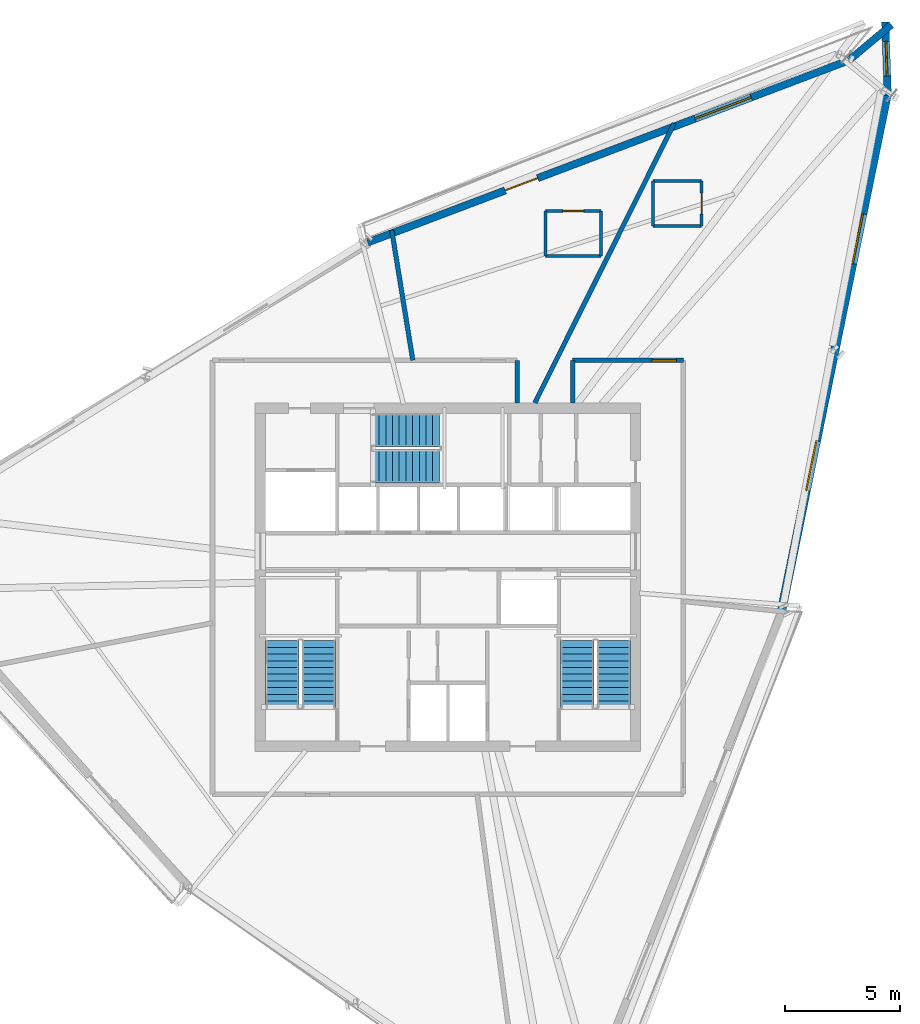
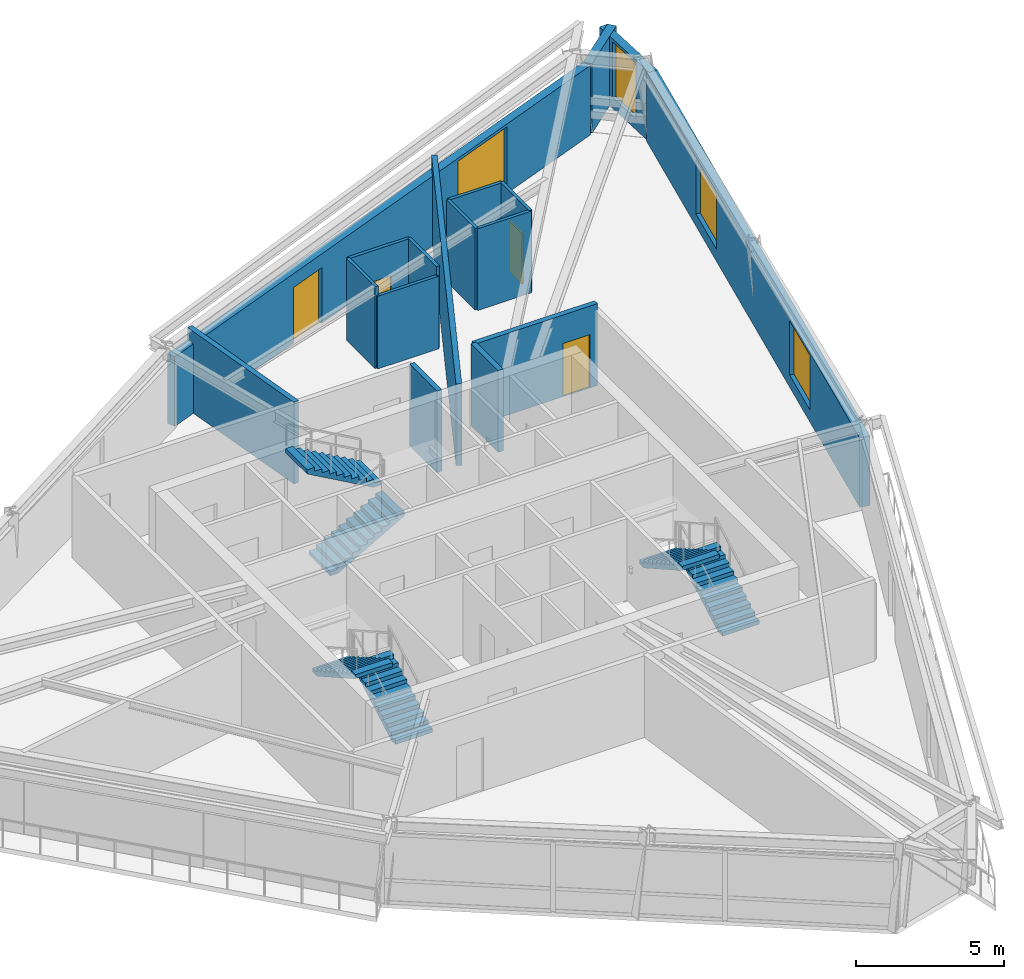
# One storey, part 10 of 13: 17 walls, 6 stair flights, 4 doors, 4 windows, 8 openings, 3 elements without a shape of their own.
"""IFC4 building model written with IfcOpenShell, lengths in metres."""

from ifc_helpers import new_model, si_unit, direction, frame, frame_2d, origin, place, context, subcontext, project, spatial, polyline, rectangle, outline, extrude, source, transform, mapped, material, layer, layer_set, type_object, type_shapes, element, fill, aggregate, save


model = new_model("IFC4")

# Units and contexts
model_context = context("Model", 3, precision=1e-05, world=origin(), true_north=direction((0.0, 1.0)))
body_context = subcontext(model_context, "Body", "Model", "MODEL_VIEW")
ifc_project = project(units=[si_unit("LENGTHUNIT", "METRE"), si_unit("AREAUNIT", "SQUARE_METRE"), si_unit("VOLUMEUNIT", "CUBIC_METRE"), si_unit("PLANEANGLEUNIT", "RADIAN"), si_unit("MASSUNIT", "GRAM", prefix="KILO")], contexts=[model_context])

# Site, building, storey
site_placement = place(None, origin())
site = spatial("IfcSite", under=ifc_project, at=site_placement, CompositionType="ELEMENT")
building_placement = place(site_placement, origin())
building = spatial("IfcBuilding", under=site, at=building_placement, Name="Olszyna Solenne Hotel", CompositionType="ELEMENT")
storey_placement = place(building_placement, frame((0.0, 0.0, 238.10009765625)))
storey = spatial("IfcBuildingStorey", under=building, at=storey_placement, Name="L63", CompositionType="ELEMENT", Elevation=238.10009765625)

# Wall, openings, door, window
ifc_material_1 = material(Name="Precast concrete C45/55", Category="concrete")
ifc_layer_1 = layer(ifc_material_1, 0.320068359375, Name="Precast concrete C45/55")
ifc_layer_set_1 = layer_set([ifc_layer_1], Name="Precast concrete C45/55")
wall_type_1 = type_object("IfcWallType", Name="WL-EX320", PredefinedType="SOLIDWALL", material=ifc_layer_set_1)
wall_1_placement = place(storey_placement, frame((34.52197265625, 41.10400390625, 0.0), z_axis=(0.0, 0.0, 1.0), x_axis=(0.935273105542, 0.353926854095, 0.0)))
wall_1 = element("IfcWall", 1, at=wall_1_placement, inside=storey, type_object=wall_type_1, Name="Exterior terracotta-precast frame wall WL-EX320 EW-L63-07", PredefinedType="SOLIDWALL", context=body_context, shape_type="SweptSolid", body=[
    extrude(rectangle(XDim=22.253173828125, YDim=0.320068359375, at=frame_2d((11.12646484375, 0.0))), origin(), (0.0, 0.0, 1.0), 2.871826171875),
])
opening_1_placement = place(wall_1_placement, frame((6.37109375, 0.0, 0.0)))
opening_1 = element("IfcOpeningElement", 2, at=opening_1_placement, cuts=wall_1, Name="Opening LDG-L63-1", PredefinedType="OPENING", context=body_context, shape_type="SweptSolid", body=[
    extrude(rectangle(XDim=1.5, YDim=2.300048828125, at=frame_2d((0.75, 1.14990234375))), frame((0.0, 0.169921875, 0.0), z_axis=(0.0, -1.0, 0.0), x_axis=(1.0, 0.0, 0.0)), (0.0, 0.0, 1.0), 0.340087890625),
])
opening_2_placement = place(wall_1_placement, frame((15.1669921875, 0.0, 0.402099609375)))
opening_2 = element("IfcOpeningElement", 3, at=opening_2_placement, cuts=wall_1, Name="Opening WN-L63-413", PredefinedType="OPENING", context=body_context, shape_type="SweptSolid", body=[
    extrude(rectangle(XDim=2.60009765625, YDim=2.35009765625, at=frame_2d((1.300048828125, 1.175048828125))), frame((0.0, 0.169921875, 0.0), z_axis=(0.0, -1.0, 0.0), x_axis=(1.0, 0.0, 0.0)), (0.0, 0.0, 1.0), 0.340087890625),
])
ifc_material_2 = material(Name="Anodised bronze aluminium", Category="aluminium")
door_type_1 = type_object("IfcDoorType", Name="DR-LG2", OperationType="DOUBLE_DOOR_SINGLE_SWING", PredefinedType="DOOR", material=ifc_material_2)
shared_shape_1 = source(origin(), body_context, "Body", "SweptSolid", [
    extrude(rectangle(XDim=1.5, YDim=2.300048828125, at=frame_2d((0.75, 1.14990234375))), frame((0.0, 0.02490234375, 0.0), z_axis=(0.0, -1.0, 0.0), x_axis=(1.0, 0.0, 0.0)), (0.0, 0.0, 1.0), 0.050048828125),
])
type_shapes(door_type_1, [shared_shape_1])
door_1_placement = place(opening_1_placement, origin())
door_1 = element("IfcDoor", 4, at=door_1_placement, inside=storey, type_object=door_type_1, Name="Exterior loggia balcony door DR-LG2 LDG-L63-1", OperationType="DOUBLE_DOOR_SINGLE_SWING", OverallHeight=2.300048828125, OverallWidth=1.5, PredefinedType="DOOR", context=body_context, shape_type="MappedRepresentation", body=[
    mapped(shared_shape_1, transform((0.0, 0.0, 0.0), x_axis=(1.0, 0.0, 0.0), y_axis=(0.0, 1.0, 0.0), z_axis=(0.0, 0.0, 1.0), scale=1.0)),
])
fill(opening_1, door_1)
ifc_material_3 = material(Name="Low-E triple glazing", Category="glass")
window_type_1 = type_object("IfcWindowType", Name="WN-ST1", PartitioningType="SINGLE_PANEL", PredefinedType="WINDOW", material=ifc_material_3)
shared_shape_2 = source(origin(), body_context, "Body", "SweptSolid", [
    extrude(rectangle(XDim=2.60009765625, YDim=2.35009765625, at=frame_2d((1.300048828125, 1.175048828125))), frame((0.0, 0.030029296875, 0.0), z_axis=(0.0, -1.0, 0.0), x_axis=(1.0, 0.0, 0.0)), (0.0, 0.0, 1.0), 0.06005859375),
])
type_shapes(window_type_1, [shared_shape_2])
window_1_placement = place(opening_2_placement, origin())
window_1 = element("IfcWindow", 5, at=window_1_placement, inside=storey, type_object=window_type_1, Name="Loggia room window WN-ST1 WN-L63-413", OverallHeight=2.35009765625, OverallWidth=2.60009765625, PartitioningType="SINGLE_PANEL", PredefinedType="WINDOW", context=body_context, shape_type="MappedRepresentation", body=[
    mapped(shared_shape_2, transform((0.0, 0.0, 0.0), x_axis=(1.0, 0.0, 0.0), y_axis=(0.0, 1.0, 0.0), z_axis=(0.0, 0.0, 1.0), scale=1.0)),
])
fill(opening_2, window_1)

# Wall
wall_2_placement = place(storey_placement, frame((55.380859375, 49.006591796875, 0.0), z_axis=(0.0, 0.0, 1.0), x_axis=(0.767448666807, 0.641110399086, 0.0)))
element("IfcWall", 6, at=wall_2_placement, inside=storey, type_object=wall_type_1, Name="Exterior terracotta-precast frame wall WL-EX320 EW-L63-08", PredefinedType="SOLIDWALL", context=body_context, shape_type="SweptSolid", body=[
    extrude(rectangle(XDim=2.384521484375, YDim=0.320068359375, at=frame_2d((1.1923828125, 0.0))), origin(), (0.0, 0.0, 1.0), 2.871826171875),
])

# Wall, opening, window
wall_3_placement = place(storey_placement, frame((56.948486328125, 50.65283203125, 0.0), z_axis=(0.0, 0.0, 1.0), x_axis=(0.033816390911, -0.999428062296, 0.0)))
wall_3 = element("IfcWall", 7, at=wall_3_placement, inside=storey, type_object=wall_type_1, Name="Exterior terracotta-precast frame wall WL-EX320 EW-L63-09", PredefinedType="SOLIDWALL", context=body_context, shape_type="SweptSolid", body=[
    extrude(rectangle(XDim=3.176513671875, YDim=0.320068359375, at=frame_2d((1.58837890625, 0.0))), origin(), (0.0, 0.0, 1.0), 2.871826171875),
])
opening_3_placement = place(wall_3_placement, frame((0.837890625, 0.0, 0.451904296875)))
opening_3 = element("IfcOpeningElement", 8, at=opening_3_placement, cuts=wall_3, Name="Opening WN-L63-414", PredefinedType="OPENING", context=body_context, shape_type="SweptSolid", body=[
    extrude(rectangle(XDim=1.5, YDim=2.300048828125, at=frame_2d((0.75, 1.14990234375))), frame((0.0, 0.169921875, 0.0), z_axis=(0.0, -1.0, 0.0), x_axis=(1.0, 0.0, 0.0)), (0.0, 0.0, 1.0), 0.340087890625),
])
window_type_2 = type_object("IfcWindowType", Name="WN-CH1", PartitioningType="SINGLE_PANEL", PredefinedType="WINDOW", material=ifc_material_3)
shared_shape_3 = source(origin(), body_context, "Body", "SweptSolid", [
    extrude(rectangle(XDim=1.5, YDim=2.300048828125, at=frame_2d((0.75, 1.14990234375))), frame((0.0, 0.030029296875, 0.0), z_axis=(0.0, -1.0, 0.0), x_axis=(1.0, 0.0, 0.0)), (0.0, 0.0, 1.0), 0.06005859375),
])
type_shapes(window_type_2, [shared_shape_3])
window_2_placement = place(opening_3_placement, origin())
window_2 = element("IfcWindow", 9, at=window_2_placement, inside=storey, type_object=window_type_2, Name="Exterior facade window WN-CH1 WN-L63-414", OverallHeight=2.300048828125, OverallWidth=1.5, PartitioningType="SINGLE_PANEL", PredefinedType="WINDOW", context=body_context, shape_type="MappedRepresentation", body=[
    mapped(shared_shape_3, transform((0.0, 0.0, 0.0), x_axis=(1.0, 0.0, 0.0), y_axis=(0.0, 1.0, 0.0), z_axis=(0.0, 0.0, 1.0), scale=1.0)),
])
fill(opening_3, window_2)

# Wall, openings, windows
ifc_material_4 = material(Name="Terracotta cladding on precast concrete C45/55", Category="masonry")
ifc_layer_2 = layer(ifc_material_4, 0.3798828125, Name="Terracotta cladding on precast concrete C45/55")
ifc_layer_set_2 = layer_set([ifc_layer_2], Name="Terracotta cladding on precast concrete C45/55")
wall_type_2 = type_object("IfcWallType", Name="WL-EX380", PredefinedType="SOLIDWALL", material=ifc_layer_set_2)
wall_4_placement = place(storey_placement, frame((57.029541015625, 47.521484375, 0.0), z_axis=(0.0, 0.0, 1.0), x_axis=(-0.200236926918, -0.979747504768, 0.0)))
wall_4 = element("IfcWall", 10, at=wall_4_placement, inside=storey, type_object=wall_type_2, Name="Exterior terracotta-precast frame wall WL-EX380 EW-L63-10", PredefinedType="SOLIDWALL", context=body_context, shape_type="SweptSolid", body=[
    extrude(rectangle(XDim=22.800048828125, YDim=0.3798828125, at=frame_2d((11.39990234375, 0.0))), origin(), (0.0, 0.0, 1.0), 2.871826171875),
])
opening_4_placement = place(wall_4_placement, frame((5.283935546875, 0.0, 0.501953125)))
opening_4 = element("IfcOpeningElement", 11, at=opening_4_placement, cuts=wall_4, Name="Opening WN-L63-415", PredefinedType="OPENING", context=body_context, shape_type="SweptSolid", body=[
    extrude(rectangle(XDim=2.199951171875, YDim=2.25, at=frame_2d((1.10009765625, 1.125))), frame((0.0, 0.199951171875, 0.0), z_axis=(0.0, -1.0, 0.0), x_axis=(1.0, 0.0, 0.0)), (0.0, 0.0, 1.0), 0.39990234375),
])
opening_5_placement = place(wall_4_placement, frame((15.31591796875, 0.0, 0.501953125)))
opening_5 = element("IfcOpeningElement", 12, at=opening_5_placement, cuts=wall_4, Name="Opening WN-L63-416", PredefinedType="OPENING", context=body_context, shape_type="SweptSolid", body=[
    extrude(rectangle(XDim=2.199951171875, YDim=2.25, at=frame_2d((1.10009765625, 1.125))), frame((0.0, 0.199951171875, 0.0), z_axis=(0.0, -1.0, 0.0), x_axis=(1.0, 0.0, 0.0)), (0.0, 0.0, 1.0), 0.39990234375),
])
window_type_3 = type_object("IfcWindowType", Name="WN-HT2", PartitioningType="SINGLE_PANEL", PredefinedType="WINDOW", material=ifc_material_3)
shared_shape_4 = source(origin(), body_context, "Body", "SweptSolid", [
    extrude(rectangle(XDim=2.199951171875, YDim=2.25, at=frame_2d((1.10009765625, 1.125))), frame((0.0, 0.030029296875, 0.0), z_axis=(0.0, -1.0, 0.0), x_axis=(1.0, 0.0, 0.0)), (0.0, 0.0, 1.0), 0.06005859375),
])
type_shapes(window_type_3, [shared_shape_4])
window_3_placement = place(opening_4_placement, origin())
window_3 = element("IfcWindow", 13, at=window_3_placement, inside=storey, type_object=window_type_3, Name="Exterior facade window WN-HT2 WN-L63-415", OverallHeight=2.25, OverallWidth=2.199951171875, PartitioningType="SINGLE_PANEL", PredefinedType="WINDOW", context=body_context, shape_type="MappedRepresentation", body=[
    mapped(shared_shape_4, transform((0.0, 0.0, 0.0), x_axis=(1.0, 0.0, 0.0), y_axis=(0.0, 1.0, 0.0), z_axis=(0.0, 0.0, 1.0), scale=1.0)),
])
fill(opening_4, window_3)
window_4_placement = place(opening_5_placement, origin())
window_4 = element("IfcWindow", 14, at=window_4_placement, inside=storey, type_object=window_type_3, Name="Exterior facade window WN-HT2 WN-L63-416", OverallHeight=2.25, OverallWidth=2.199951171875, PartitioningType="SINGLE_PANEL", PredefinedType="WINDOW", context=body_context, shape_type="MappedRepresentation", body=[
    mapped(shared_shape_4, transform((0.0, 0.0, 0.0), x_axis=(1.0, 0.0, 0.0), y_axis=(0.0, 1.0, 0.0), z_axis=(0.0, 0.0, 1.0), scale=1.0)),
])
fill(opening_5, window_4)

# Wall, opening, door
ifc_material_5 = material(Name="Acoustic gypsum partition", Category="gypsum")
ifc_layer_3 = layer(ifc_material_5, 0.125, Name="Acoustic gypsum partition")
ifc_layer_set_3 = layer_set([ifc_layer_3], Name="Acoustic gypsum partition")
wall_type_3 = type_object("IfcWallType", Name="WL-PT125", PredefinedType="PARTITIONING", material=ifc_layer_set_3)
wall_5_placement = place(storey_placement, frame((48.989990234375, 41.81298828125, 0.0), z_axis=(0.0, 0.0, 1.0), x_axis=(0.0, 1.0, 0.0)))
wall_5 = element("IfcWall", 15, at=wall_5_placement, inside=storey, type_object=wall_type_3, Name="Interior acoustic partition WL-PT125 PW-L63-3493", PredefinedType="PARTITIONING", context=body_context, shape_type="SweptSolid", body=[
    extrude(rectangle(XDim=1.949951171875, YDim=0.125, at=frame_2d((0.97509765625, 0.0))), origin(), (0.0, 0.0, 1.0), 3.3798828125),
])
opening_6_placement = place(wall_5_placement, frame((0.52490234375, 0.0, 0.0)))
opening_6 = element("IfcOpeningElement", 16, at=opening_6_placement, cuts=wall_5, Name="Opening DR-L63-0851", PredefinedType="OPENING", context=body_context, shape_type="SweptSolid", body=[
    extrude(rectangle(XDim=0.89990234375, YDim=2.10009765625, at=frame_2d((0.449951171875, 1.050048828125))), frame((0.0, 0.072509765625, 0.0), z_axis=(0.0, -1.0, 0.0), x_axis=(1.0, 0.0, 0.0)), (0.0, 0.0, 1.0), 0.14501953125),
])
ifc_material_6 = material(Name="Timber hardwood", Category="wood")
door_type_2 = type_object("IfcDoorType", Name="DR-WC1", OperationType="NOTDEFINED", PredefinedType="DOOR", material=ifc_material_6)
shared_shape_5 = source(origin(), body_context, "Body", "SweptSolid", [
    extrude(rectangle(XDim=0.89990234375, YDim=2.10009765625, at=frame_2d((0.449951171875, 1.050048828125))), frame((0.0, 0.02490234375, 0.0), z_axis=(0.0, -1.0, 0.0), x_axis=(1.0, 0.0, 0.0)), (0.0, 0.0, 1.0), 0.050048828125),
])
type_shapes(door_type_2, [shared_shape_5])
door_2_placement = place(opening_6_placement, origin())
door_2 = element("IfcDoor", 17, at=door_2_placement, inside=storey, type_object=door_type_2, Name="En-Suite Bathroom Door DR-L63-0851", OperationType="SINGLE_SWING_RIGHT", OverallHeight=2.10009765625, OverallWidth=0.89990234375, PredefinedType="DOOR", context=body_context, shape_type="MappedRepresentation", body=[
    mapped(shared_shape_5, transform((0.0, 0.0, 0.0), x_axis=(1.0, 0.0, 0.0), y_axis=(0.0, 1.0, 0.0), z_axis=(0.0, 0.0, 1.0), scale=1.0)),
])
fill(opening_6, door_2)

# Walls
wall_6_placement = place(storey_placement, frame((48.989990234375, 43.762939453125, 0.0), z_axis=(0.0, 0.0, 1.0), x_axis=(-1.0, 0.0, 0.0)))
element("IfcWall", 18, at=wall_6_placement, inside=storey, type_object=wall_type_3, Name="Interior acoustic partition WL-PT125 PW-L63-3494", PredefinedType="PARTITIONING", context=body_context, shape_type="SweptSolid", body=[
    extrude(rectangle(XDim=2.10009765625, YDim=0.125, at=frame_2d((1.050048828125, 0.0))), origin(), (0.0, 0.0, 1.0), 3.3798828125),
])
wall_7_placement = place(storey_placement, frame((46.889892578125, 43.762939453125, 0.0), z_axis=(0.0, 0.0, 1.0), x_axis=(0.0, -1.0, 0.0)))
element("IfcWall", 19, at=wall_7_placement, inside=storey, type_object=wall_type_3, Name="Interior acoustic partition WL-PT125 PW-L63-3495", PredefinedType="PARTITIONING", context=body_context, shape_type="SweptSolid", body=[
    extrude(rectangle(XDim=1.949951171875, YDim=0.125, at=frame_2d((0.97509765625, 0.0))), origin(), (0.0, 0.0, 1.0), 3.3798828125),
])
wall_8_placement = place(storey_placement, frame((46.889892578125, 41.81298828125, 0.0), z_axis=(0.0, 0.0, 1.0), x_axis=(1.0, 0.0, 0.0)))
element("IfcWall", 20, at=wall_8_placement, inside=storey, type_object=wall_type_3, Name="Interior acoustic partition WL-PT125 PW-L63-3496", PredefinedType="PARTITIONING", context=body_context, shape_type="SweptSolid", body=[
    extrude(rectangle(XDim=2.10009765625, YDim=0.125, at=frame_2d((1.050048828125, 0.0))), origin(), (0.0, 0.0, 1.0), 3.3798828125),
])
wall_9_placement = place(storey_placement, frame((44.6279296875, 40.51806640625, 0.0), z_axis=(0.0, 0.0, 1.0), x_axis=(0.0, 1.0, 0.0)))
element("IfcWall", 21, at=wall_9_placement, inside=storey, type_object=wall_type_3, Name="Interior acoustic partition WL-PT125 PW-L63-3497", PredefinedType="PARTITIONING", context=body_context, shape_type="SweptSolid", body=[
    extrude(rectangle(XDim=1.949951171875, YDim=0.125, at=frame_2d((0.97509765625, 0.0))), origin(), (0.0, 0.0, 1.0), 3.3798828125),
])

# Wall, opening, door
wall_10_placement = place(storey_placement, frame((44.6279296875, 42.468017578125, 0.0), z_axis=(0.0, 0.0, 1.0), x_axis=(-1.0, 0.0, 0.0)))
wall_10 = element("IfcWall", 22, at=wall_10_placement, inside=storey, type_object=wall_type_3, Name="Interior acoustic partition WL-PT125 PW-L63-3498", PredefinedType="PARTITIONING", context=body_context, shape_type="SweptSolid", body=[
    extrude(rectangle(XDim=2.39990234375, YDim=0.125, at=frame_2d((1.199951171875, 0.0))), origin(), (0.0, 0.0, 1.0), 3.3798828125),
])
opening_7_placement = place(wall_10_placement, frame((0.75, 0.0, 0.0)))
opening_7 = element("IfcOpeningElement", 23, at=opening_7_placement, cuts=wall_10, Name="Opening DR-L63-0852", PredefinedType="OPENING", context=body_context, shape_type="SweptSolid", body=[
    extrude(rectangle(XDim=0.89990234375, YDim=2.10009765625, at=frame_2d((0.449951171875, 1.050048828125))), frame((0.0, 0.072509765625, 0.0), z_axis=(0.0, -1.0, 0.0), x_axis=(1.0, 0.0, 0.0)), (0.0, 0.0, 1.0), 0.14501953125),
])
door_3_placement = place(opening_7_placement, origin())
door_3 = element("IfcDoor", 24, at=door_3_placement, inside=storey, type_object=door_type_2, Name="En-Suite Bathroom Door DR-L63-0852", OperationType="SINGLE_SWING_LEFT", OverallHeight=2.10009765625, OverallWidth=0.89990234375, PredefinedType="DOOR", context=body_context, shape_type="MappedRepresentation", body=[
    mapped(shared_shape_5, transform((0.0, 0.0, 0.0), x_axis=(1.0, 0.0, 0.0), y_axis=(0.0, 1.0, 0.0), z_axis=(0.0, 0.0, 1.0), scale=1.0)),
])
fill(opening_7, door_3)

# Walls
wall_11_placement = place(storey_placement, frame((42.22802734375, 42.468017578125, 0.0), z_axis=(0.0, 0.0, 1.0), x_axis=(0.0, -1.0, 0.0)))
element("IfcWall", 25, at=wall_11_placement, inside=storey, type_object=wall_type_3, Name="Interior acoustic partition WL-PT125 PW-L63-3499", PredefinedType="PARTITIONING", context=body_context, shape_type="SweptSolid", body=[
    extrude(rectangle(XDim=1.949951171875, YDim=0.125, at=frame_2d((0.97509765625, 0.0))), origin(), (0.0, 0.0, 1.0), 3.3798828125),
])
wall_12_placement = place(storey_placement, frame((42.22802734375, 40.51806640625, 0.0), z_axis=(0.0, 0.0, 1.0), x_axis=(1.0, 0.0, 0.0)))
element("IfcWall", 26, at=wall_12_placement, inside=storey, type_object=wall_type_3, Name="Interior acoustic partition WL-PT125 PW-L63-3500", PredefinedType="PARTITIONING", context=body_context, shape_type="SweptSolid", body=[
    extrude(rectangle(XDim=2.39990234375, YDim=0.125, at=frame_2d((1.199951171875, 0.0))), origin(), (0.0, 0.0, 1.0), 3.0048828125),
])
ifc_layer_4 = layer(ifc_material_5, 0.199951171875, Name="Acoustic gypsum partition")
ifc_layer_set_4 = layer_set([ifc_layer_4], Name="Acoustic gypsum partition")
wall_type_4 = type_object("IfcWallType", Name="WL-PT200", PredefinedType="PARTITIONING", material=ifc_layer_set_4)
wall_13_placement = place(storey_placement, frame((36.4775390625, 36.0, 0.0), z_axis=(0.0, 0.0, 1.0), x_axis=(-0.159891020991, 0.987134672376, 0.0)))
element("IfcWall", 27, at=wall_13_placement, inside=storey, type_object=wall_type_4, Name="Interior acoustic partition WL-PT200 PW-L63-3488", PredefinedType="PARTITIONING", context=body_context, shape_type="SweptSolid", body=[
    extrude(rectangle(XDim=5.710693359375, YDim=0.199951171875, at=frame_2d((2.85546875, 0.0))), origin(), (0.0, 0.0, 1.0), 3.3798828125),
])
wall_14_placement = place(storey_placement, frame((41.76318359375, 34.14990234375, 0.0), z_axis=(0.0, 0.0, 1.0), x_axis=(0.446117078005, 0.894974610094, 0.0)))
element("IfcWall", 28, at=wall_14_placement, inside=storey, type_object=wall_type_4, Name="Interior acoustic partition WL-PT200 PW-L63-3492", PredefinedType="PARTITIONING", context=body_context, shape_type="SweptSolid", body=[
    extrude(rectangle(XDim=13.541259765625, YDim=0.199951171875, at=frame_2d((6.7705078125, 0.0))), origin(), (0.0, 0.0, 1.0), 3.3798828125),
])
wall_15_placement = place(storey_placement, frame((41.0, 34.14990234375, 0.0), z_axis=(0.0, 0.0, 1.0), x_axis=(0.0, 1.0, 0.0)))
element("IfcWall", 29, at=wall_15_placement, inside=storey, type_object=wall_type_4, Name="Interior acoustic partition WL-PT200 PW-L63-3504", PredefinedType="PARTITIONING", context=body_context, shape_type="SweptSolid", body=[
    extrude(rectangle(XDim=1.85009765625, YDim=0.199951171875, at=frame_2d((0.925048828125, 0.0))), origin(), (0.0, 0.0, 1.0), 3.3798828125),
])

# Wall, opening, door
wall_16_placement = place(storey_placement, frame((43.39990234375, 36.0, 0.0), z_axis=(0.0, 0.0, 1.0), x_axis=(1.0, 0.0, 0.0)))
wall_16 = element("IfcWall", 30, at=wall_16_placement, inside=storey, type_object=wall_type_4, Name="Interior acoustic partition WL-PT200 PW-L63-3505", PredefinedType="PARTITIONING", context=body_context, shape_type="SweptSolid", body=[
    extrude(rectangle(XDim=4.800048828125, YDim=0.199951171875, at=frame_2d((2.39990234375, 0.0))), origin(), (0.0, 0.0, 1.0), 3.3798828125),
])
opening_8_placement = place(wall_16_placement, frame((3.449951171875, 0.0, 0.0)))
opening_8 = element("IfcOpeningElement", 31, at=opening_8_placement, cuts=wall_16, Name="Opening DR-L63-0856", PredefinedType="OPENING", context=body_context, shape_type="SweptSolid", body=[
    extrude(rectangle(XDim=1.050048828125, YDim=2.199951171875, at=frame_2d((0.52490234375, 1.10009765625))), frame((0.0, 0.10986328125, 0.0), z_axis=(0.0, -1.0, 0.0), x_axis=(1.0, 0.0, 0.0)), (0.0, 0.0, 1.0), 0.219970703125),
])
door_type_3 = type_object("IfcDoorType", Name="DR-RM2", OperationType="NOTDEFINED", PredefinedType="DOOR", material=ifc_material_6)
shared_shape_6 = source(origin(), body_context, "Body", "SweptSolid", [
    extrude(rectangle(XDim=1.050048828125, YDim=2.199951171875, at=frame_2d((0.52490234375, 1.10009765625))), frame((0.0, 0.02490234375, 0.0), z_axis=(0.0, -1.0, 0.0), x_axis=(1.0, 0.0, 0.0)), (0.0, 0.0, 1.0), 0.050048828125),
])
type_shapes(door_type_3, [shared_shape_6])
door_4_placement = place(opening_8_placement, origin())
door_4 = element("IfcDoor", 32, at=door_4_placement, inside=storey, type_object=door_type_3, Name="Corner Panorama Suite Entrance Door DR-L63-0856", OperationType="SINGLE_SWING_LEFT", OverallHeight=2.199951171875, OverallWidth=1.050048828125, PredefinedType="DOOR", context=body_context, shape_type="MappedRepresentation", body=[
    mapped(shared_shape_6, transform((0.0, 0.0, 0.0), x_axis=(1.0, 0.0, 0.0), y_axis=(0.0, 1.0, 0.0), z_axis=(0.0, 0.0, 1.0), scale=1.0)),
])
fill(opening_8, door_4)

# Wall
wall_17_placement = place(storey_placement, frame((43.39990234375, 34.14990234375, 0.0), z_axis=(0.0, 0.0, 1.0), x_axis=(0.0, 1.0, 0.0)))
element("IfcWall", 33, at=wall_17_placement, inside=storey, type_object=wall_type_4, Name="Interior acoustic partition WL-PT200 PW-L63-3506", PredefinedType="PARTITIONING", context=body_context, shape_type="SweptSolid", body=[
    extrude(rectangle(XDim=1.85009765625, YDim=0.199951171875, at=frame_2d((0.925048828125, 0.0))), origin(), (0.0, 0.0, 1.0), 3.3798828125),
])

# Stair, stair flights
ifc_material_7 = material(Name="Concrete C40/50", Category="concrete")
stair_type = type_object("IfcStairType", Name="STR-C1", PredefinedType="TWO_QUARTER_WINDING_STAIR", material=ifc_material_7)
stair_1_placement = place(storey_placement, origin())
stair_1 = element("IfcStair", 34, at=stair_1_placement, inside=storey, type_object=stair_type, Name="L63 ST1", PredefinedType="TWO_QUARTER_WINDING_STAIR")
stair_flight_type = type_object("IfcStairFlightType", Name="FLT-C1", PredefinedType="STRAIGHT", material=ifc_material_7)
stair_flight_1_placement = place(storey_placement, frame((32.39501953125, 20.949951171875, 0.0), z_axis=(0.0, 0.0, 1.0), x_axis=(0.0, 1.0, 0.0)))
stair_flight_1 = element("IfcStairFlight", 35, at=stair_flight_1_placement, type_object=stair_flight_type, Name="ST1 flight 1", NumberOfRisers=11, NumberOfTreads=10, PredefinedType="STRAIGHT", RiserHeight=0.163636364, TreadLength=0.29, context=body_context, shape_type="SweptSolid", body=[
    extrude(outline(polyline([(0.0, 0.0), (0.0, 0.16357421875), (0.2900390625, 0.16357421875), (0.2900390625, 0.327392578125), (0.580078125, 0.327392578125), (0.580078125, 0.490966796875), (0.8701171875, 0.490966796875), (0.8701171875, 0.654541015625), (1.159912109375, 0.654541015625), (1.159912109375, 0.818115234375), (1.449951171875, 0.818115234375), (1.449951171875, 0.98193359375), (1.739990234375, 0.98193359375), (1.739990234375, 1.1455078125), (2.030029296875, 1.1455078125), (2.030029296875, 1.30908203125), (2.320068359375, 1.30908203125), (2.320068359375, 1.47265625), (2.610107421875, 1.47265625), (2.610107421875, 1.636474609375), (2.89990234375, 1.636474609375), (2.89990234375, 1.800048828125), (2.89990234375, 1.46435546875), (0.304931640625, 0.0), (0.0, 0.0)])), frame((0.0, 0.72509765625, 0.0), z_axis=(0.0, -1.0, 0.0), x_axis=(1.0, 0.0, 0.0)), (0.0, 0.0, 1.0), 1.449951171875),
])
stair_flight_2_placement = place(storey_placement, frame((30.824951171875, 23.85009765625, 1.7998046875), z_axis=(0.0, 0.0, 1.0), x_axis=(0.0, -1.0, 0.0)))
stair_flight_2 = element("IfcStairFlight", 36, at=stair_flight_2_placement, type_object=stair_flight_type, Name="ST1 flight 2", NumberOfRisers=11, NumberOfTreads=10, PredefinedType="STRAIGHT", RiserHeight=0.163636364, TreadLength=0.29, context=body_context, shape_type="SweptSolid", body=[
    extrude(outline(polyline([(0.0, 0.0), (0.0, 0.16357421875), (0.2900390625, 0.16357421875), (0.2900390625, 0.327392578125), (0.580078125, 0.327392578125), (0.580078125, 0.490966796875), (0.8701171875, 0.490966796875), (0.8701171875, 0.654541015625), (1.159912109375, 0.654541015625), (1.159912109375, 0.818115234375), (1.449951171875, 0.818115234375), (1.449951171875, 0.98193359375), (1.739990234375, 0.98193359375), (1.739990234375, 1.1455078125), (2.030029296875, 1.1455078125), (2.030029296875, 1.30908203125), (2.320068359375, 1.30908203125), (2.320068359375, 1.47265625), (2.610107421875, 1.47265625), (2.610107421875, 1.636474609375), (2.89990234375, 1.636474609375), (2.89990234375, 1.800048828125), (2.89990234375, 1.46435546875), (0.304931640625, 0.0), (0.0, 0.0)])), frame((0.0, 0.72509765625, 0.0), z_axis=(0.0, -1.0, 0.0), x_axis=(1.0, 0.0, 0.0)), (0.0, 0.0, 1.0), 1.449951171875),
])
aggregate(stair_1, [stair_flight_1, stair_flight_2])

stair_2_placement = place(storey_placement, origin())
stair_2 = element("IfcStair", 37, at=stair_2_placement, inside=storey, type_object=stair_type, Name="L63 ST2", PredefinedType="TWO_QUARTER_WINDING_STAIR")
stair_flight_3_placement = place(storey_placement, frame((45.175048828125, 20.949951171875, 0.0), z_axis=(0.0, 0.0, 1.0), x_axis=(0.0, 1.0, 0.0)))
stair_flight_3 = element("IfcStairFlight", 38, at=stair_flight_3_placement, type_object=stair_flight_type, Name="ST2 flight 1", NumberOfRisers=11, NumberOfTreads=10, PredefinedType="STRAIGHT", RiserHeight=0.163636364, TreadLength=0.29, context=body_context, shape_type="SweptSolid", body=[
    extrude(outline(polyline([(0.0, 0.0), (0.0, 0.16357421875), (0.2900390625, 0.16357421875), (0.2900390625, 0.327392578125), (0.580078125, 0.327392578125), (0.580078125, 0.490966796875), (0.8701171875, 0.490966796875), (0.8701171875, 0.654541015625), (1.159912109375, 0.654541015625), (1.159912109375, 0.818115234375), (1.449951171875, 0.818115234375), (1.449951171875, 0.98193359375), (1.739990234375, 0.98193359375), (1.739990234375, 1.1455078125), (2.030029296875, 1.1455078125), (2.030029296875, 1.30908203125), (2.320068359375, 1.30908203125), (2.320068359375, 1.47265625), (2.610107421875, 1.47265625), (2.610107421875, 1.636474609375), (2.89990234375, 1.636474609375), (2.89990234375, 1.800048828125), (2.89990234375, 1.46435546875), (0.304931640625, 0.0), (0.0, 0.0)])), frame((0.0, 0.72509765625, 0.0), z_axis=(0.0, -1.0, 0.0), x_axis=(1.0, 0.0, 0.0)), (0.0, 0.0, 1.0), 1.449951171875),
])
stair_flight_4_placement = place(storey_placement, frame((43.60498046875, 23.85009765625, 1.7998046875), z_axis=(0.0, 0.0, 1.0), x_axis=(0.0, -1.0, 0.0)))
stair_flight_4 = element("IfcStairFlight", 39, at=stair_flight_4_placement, type_object=stair_flight_type, Name="ST2 flight 2", NumberOfRisers=11, NumberOfTreads=10, PredefinedType="STRAIGHT", RiserHeight=0.163636364, TreadLength=0.29, context=body_context, shape_type="SweptSolid", body=[
    extrude(outline(polyline([(0.0, 0.0), (0.0, 0.16357421875), (0.2900390625, 0.16357421875), (0.2900390625, 0.327392578125), (0.580078125, 0.327392578125), (0.580078125, 0.490966796875), (0.8701171875, 0.490966796875), (0.8701171875, 0.654541015625), (1.159912109375, 0.654541015625), (1.159912109375, 0.818115234375), (1.449951171875, 0.818115234375), (1.449951171875, 0.98193359375), (1.739990234375, 0.98193359375), (1.739990234375, 1.1455078125), (2.030029296875, 1.1455078125), (2.030029296875, 1.30908203125), (2.320068359375, 1.30908203125), (2.320068359375, 1.47265625), (2.610107421875, 1.47265625), (2.610107421875, 1.636474609375), (2.89990234375, 1.636474609375), (2.89990234375, 1.800048828125), (2.89990234375, 1.46435546875), (0.304931640625, 0.0), (0.0, 0.0)])), frame((0.0, 0.72509765625, 0.0), z_axis=(0.0, -1.0, 0.0), x_axis=(1.0, 0.0, 0.0)), (0.0, 0.0, 1.0), 1.449951171875),
])
aggregate(stair_2, [stair_flight_3, stair_flight_4])

stair_3_placement = place(storey_placement, origin())
stair_3 = element("IfcStair", 40, at=stair_3_placement, inside=storey, type_object=stair_type, Name="L63 ST3", PredefinedType="TWO_QUARTER_WINDING_STAIR")
stair_flight_5_placement = place(storey_placement, frame((34.72998046875, 31.405029296875, 0.0), z_axis=(0.0, 0.0, 1.0), x_axis=(1.0, 0.0, 0.0)))
stair_flight_5 = element("IfcStairFlight", 41, at=stair_flight_5_placement, type_object=stair_flight_type, Name="ST3 flight 1", NumberOfRisers=11, NumberOfTreads=10, PredefinedType="STRAIGHT", RiserHeight=0.163636364, TreadLength=0.29, context=body_context, shape_type="SweptSolid", body=[
    extrude(outline(polyline([(0.0, 0.0), (0.0, 0.16357421875), (0.2900390625, 0.16357421875), (0.2900390625, 0.327392578125), (0.580078125, 0.327392578125), (0.580078125, 0.490966796875), (0.8701171875, 0.490966796875), (0.8701171875, 0.654541015625), (1.159912109375, 0.654541015625), (1.159912109375, 0.818115234375), (1.449951171875, 0.818115234375), (1.449951171875, 0.98193359375), (1.739990234375, 0.98193359375), (1.739990234375, 1.1455078125), (2.030029296875, 1.1455078125), (2.030029296875, 1.30908203125), (2.320068359375, 1.30908203125), (2.320068359375, 1.47265625), (2.610107421875, 1.47265625), (2.610107421875, 1.636474609375), (2.89990234375, 1.636474609375), (2.89990234375, 1.800048828125), (2.89990234375, 1.46435546875), (0.304931640625, 0.0), (0.0, 0.0)])), frame((0.0, 0.72509765625, 0.0), z_axis=(0.0, -1.0, 0.0), x_axis=(1.0, 0.0, 0.0)), (0.0, 0.0, 1.0), 1.449951171875),
])
stair_flight_6_placement = place(storey_placement, frame((37.6298828125, 32.97509765625, 1.7998046875), z_axis=(0.0, 0.0, 1.0), x_axis=(-1.0, 0.0, 0.0)))
stair_flight_6 = element("IfcStairFlight", 42, at=stair_flight_6_placement, type_object=stair_flight_type, Name="ST3 flight 2", NumberOfRisers=11, NumberOfTreads=10, PredefinedType="STRAIGHT", RiserHeight=0.163636364, TreadLength=0.29, context=body_context, shape_type="SweptSolid", body=[
    extrude(outline(polyline([(0.0, 0.0), (0.0, 0.16357421875), (0.2900390625, 0.16357421875), (0.2900390625, 0.327392578125), (0.580078125, 0.327392578125), (0.580078125, 0.490966796875), (0.8701171875, 0.490966796875), (0.8701171875, 0.654541015625), (1.159912109375, 0.654541015625), (1.159912109375, 0.818115234375), (1.449951171875, 0.818115234375), (1.449951171875, 0.98193359375), (1.739990234375, 0.98193359375), (1.739990234375, 1.1455078125), (2.030029296875, 1.1455078125), (2.030029296875, 1.30908203125), (2.320068359375, 1.30908203125), (2.320068359375, 1.47265625), (2.610107421875, 1.47265625), (2.610107421875, 1.636474609375), (2.89990234375, 1.636474609375), (2.89990234375, 1.800048828125), (2.89990234375, 1.46435546875), (0.304931640625, 0.0), (0.0, 0.0)])), frame((0.0, 0.72509765625, 0.0), z_axis=(0.0, -1.0, 0.0), x_axis=(1.0, 0.0, 0.0)), (0.0, 0.0, 1.0), 1.449951171875),
])
aggregate(stair_3, [stair_flight_5, stair_flight_6])

save(model, "model.ifc")
